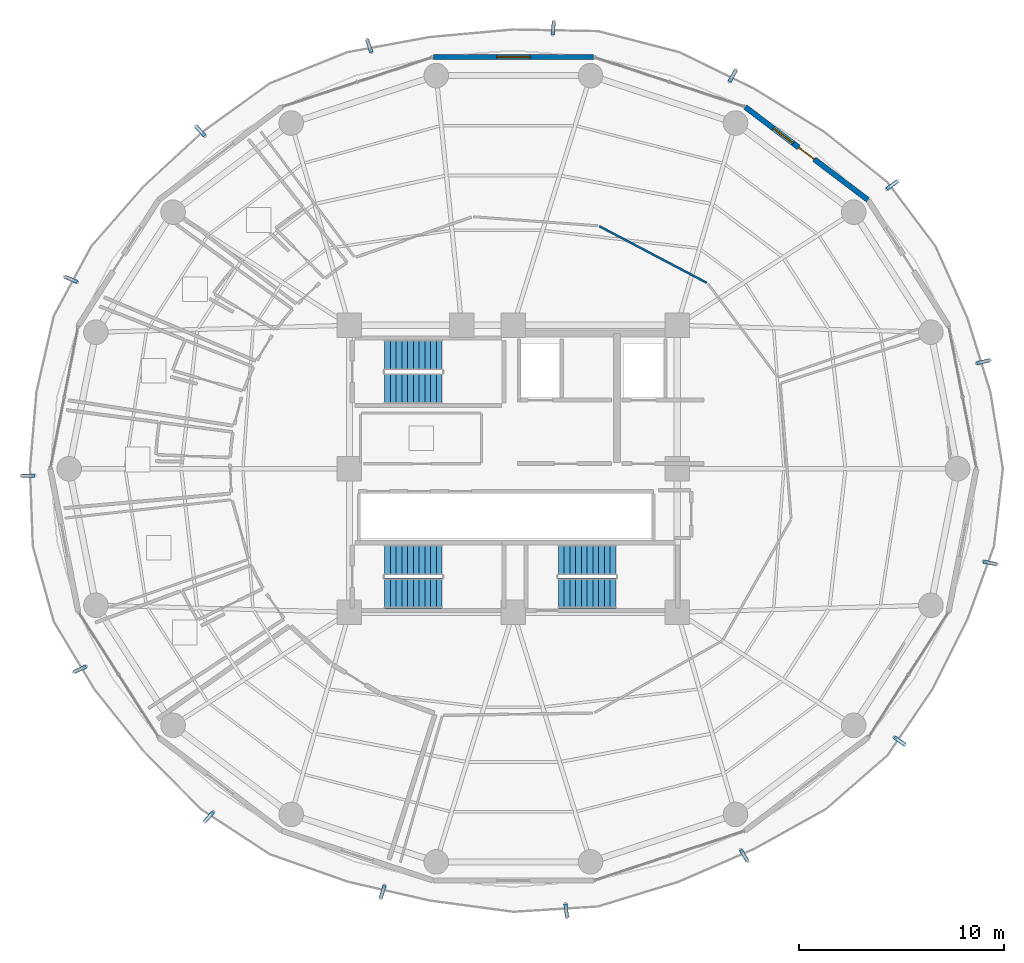
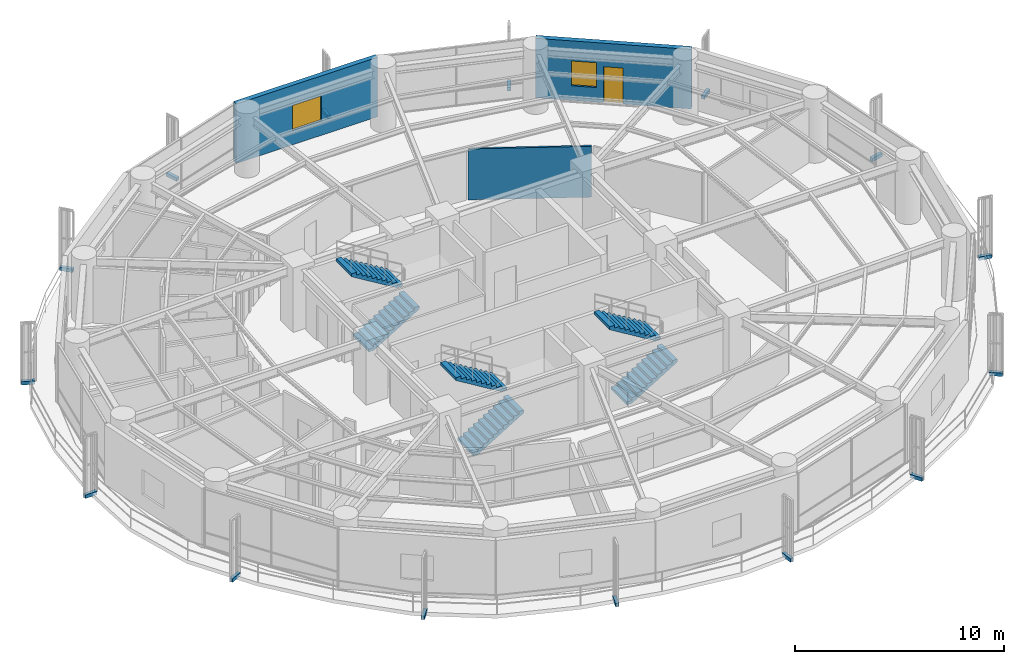
# One storey, part 24 of 27: 15 discrete accessories, 6 stair flights, 3 walls, 2 windows, 1 door, 3 openings, 3 elements without a shape of their own.
"""IFC4 building model written with IfcOpenShell, lengths in metres."""

import ifcopenshell
import ifcopenshell.guid

model = None  # the IFC model being written
_history = None  # IfcOwnerHistory: only IFC2X3 demands one
_inside = {}  # id of a spatial element -> (the spatial element, [elements in it])
_under = {}  # id of a project, library or spatial element -> (it, [spatial elements below it])
_declared = {}  # id of a project -> (the project, [libraries it declares])
_typed = {}  # id of a type object -> (the type object, [elements of that type])
_made_of = {}  # id of a material, layer set ... -> (it, [elements and type objects made of it])


def new_model(schema):
    """Start an empty IFC model of exactly this schema.

    Asked for "IFC4X3", IfcOpenShell would pick the latest addendum, in which some entities
    have other attributes; the version numbers below select the first issue.
    IFC2X3 requires an IfcOwnerHistory on every rooted entity: one is made here for all.
    """
    global model, _history
    if schema == "IFC4X3":
        model = ifcopenshell.file(schema_version=(4, 3, 0, 0))
    else:
        model = ifcopenshell.file(schema=schema)
    _inside.clear()
    _under.clear()
    _declared.clear()
    _typed.clear()
    _made_of.clear()
    _history = None
    if model.schema == "IFC2X3":
        org = make("IfcOrganization", Name="unknown")
        user = make(
            "IfcPersonAndOrganization",
            ThePerson=make("IfcPerson", FamilyName="unknown"),
            TheOrganization=org,
        )
        app = make(
            "IfcApplication",
            ApplicationDeveloper=org,
            Version="unknown",
            ApplicationFullName="unknown",
            ApplicationIdentifier="unknown",
        )
        _history = make(
            "IfcOwnerHistory",
            OwningUser=user,
            OwningApplication=app,
            ChangeAction="ADDED",
            CreationDate=0,
        )
    return model


def make(cls, **values):
    """One entity of the class cls with the attributes given. An attribute that is None is left unset."""
    return model.create_entity(
        cls, **{name: value for name, value in values.items() if value is not None}
    )


def rooted(cls, **values):
    """An entity with a GlobalId (a new one), such as an element, a storey or a relation."""
    return make(cls, GlobalId=ifcopenshell.guid.new(), OwnerHistory=_history, **values)


def si_unit(unit_type, name, prefix=None):
    """IfcSIUnit, for example si_unit("LENGTHUNIT", "METRE", prefix="MILLI")."""
    return make("IfcSIUnit", UnitType=unit_type, Prefix=prefix, Name=name)


def assignment(units):
    """IfcUnitAssignment: the units of a project."""
    return None if units is None else make("IfcUnitAssignment", Units=units)


def point(xyz):
    """IfcCartesianPoint."""
    return None if xyz is None else make("IfcCartesianPoint", Coordinates=xyz)


def direction(xyz):
    """IfcDirection."""
    return None if xyz is None else make("IfcDirection", DirectionRatios=xyz)


def frame(location, z_axis=None, x_axis=None):
    """IfcAxis2Placement3D, a coordinate frame: its origin and axes. An axis left out is left unset."""
    return make(
        "IfcAxis2Placement3D",
        Location=point(location),
        Axis=direction(z_axis),
        RefDirection=direction(x_axis),
    )


def frame_2d(location, x_axis=None):
    """IfcAxis2Placement2D, a coordinate frame in the plane: its origin and x axis."""
    return make(
        "IfcAxis2Placement2D", Location=point(location), RefDirection=direction(x_axis)
    )


def origin():
    """The frame at (0, 0, 0) with its axes left unset."""
    return frame((0.0, 0.0, 0.0))


def origin_2d():
    """The frame at (0, 0) in the plane with its x axis left unset."""
    return frame_2d((0.0, 0.0))


def place(relative_to, where):
    """IfcLocalPlacement: puts the frame where relative to a parent placement (None: the world)."""
    return make(
        "IfcLocalPlacement", PlacementRelTo=relative_to, RelativePlacement=where
    )


def context(
    kind, dimensions, precision=None, world=None, true_north=None, identifier=None
):
    """IfcGeometricRepresentationContext, for example the 3D "Model" context."""
    return make(
        "IfcGeometricRepresentationContext",
        ContextIdentifier=identifier,
        ContextType=kind,
        CoordinateSpaceDimension=dimensions,
        Precision=precision,
        WorldCoordinateSystem=world,
        TrueNorth=true_north,
    )


def subcontext(parent, identifier, kind, view, scale=None):
    """IfcGeometricRepresentationSubContext, for example "Body" below "Model"."""
    return make(
        "IfcGeometricRepresentationSubContext",
        ContextIdentifier=identifier,
        ContextType=kind,
        ParentContext=parent,
        TargetScale=scale,
        TargetView=view,
    )


def project(units=None, contexts=None):
    """IfcProject with its units and contexts."""
    return rooted(
        "IfcProject",
        Name="project",
        RepresentationContexts=contexts,
        UnitsInContext=assignment(units),
    )


def spatial(cls, under=None, at=None, **own):
    """A site, building, storey or space (cls), placed at a placement, below another one or the project."""
    s = rooted(cls, ObjectPlacement=at, **own)
    if under is not None:
        _under.setdefault(under.id(), (under, []))[1].append(s)
    return s


def polyline(points):
    """IfcPolyline through the points."""
    return make("IfcPolyline", Points=[point(p) for p in points])


def profile(cls, at=None, kind="AREA", **sizes):
    """A parametric profile (cls). Its sizes go by their IFC names, for example OverallWidth=200.0."""
    return make(cls, ProfileType=kind, Position=at, **sizes)


def rectangle(**sizes):
    """IfcRectangleProfileDef."""
    return profile("IfcRectangleProfileDef", **sizes)


def outline(outer, holes=None, kind="AREA"):
    """IfcArbitraryClosedProfileDef: a profile drawn as a closed curve; with holes, ...WithVoids."""
    if holes is None:
        return make("IfcArbitraryClosedProfileDef", ProfileType=kind, OuterCurve=outer)
    return make(
        "IfcArbitraryProfileDefWithVoids",
        ProfileType=kind,
        OuterCurve=outer,
        InnerCurves=holes,
    )


def extrude(swept, where, along, depth):
    """IfcExtrudedAreaSolid: the profile swept, set in the frame where, extruded along a direction by depth."""
    return make(
        "IfcExtrudedAreaSolid",
        SweptArea=swept,
        Position=where,
        ExtrudedDirection=direction(along),
        Depth=depth,
    )


def shape(context_of_items, identifier, shape_type, items):
    """IfcShapeRepresentation: the items that make up one representation, for example the "Body"."""
    return make(
        "IfcShapeRepresentation",
        ContextOfItems=context_of_items,
        RepresentationIdentifier=identifier,
        RepresentationType=shape_type,
        Items=items,
    )


def source(mapping_origin, context_of_items, identifier, shape_type, items):
    """IfcRepresentationMap: a shape defined once, which mapped items show again and again."""
    return make(
        "IfcRepresentationMap",
        MappingOrigin=mapping_origin,
        MappedRepresentation=shape(context_of_items, identifier, shape_type, items),
    )


def transform(
    local_origin,
    x_axis=None,
    y_axis=None,
    z_axis=None,
    scale=None,
    scale2=None,
    scale3=None,
    uniform=True,
):
    """IfcCartesianTransformationOperator3D, or its non-uniform kind. x_axis, y_axis, z_axis: its Axis1, 2, 3."""
    if uniform:
        return make(
            "IfcCartesianTransformationOperator3D",
            Axis1=direction(x_axis),
            Axis2=direction(y_axis),
            LocalOrigin=point(local_origin),
            Scale=scale,
            Axis3=direction(z_axis),
        )
    return make(
        "IfcCartesianTransformationOperator3DnonUniform",
        Axis1=direction(x_axis),
        Axis2=direction(y_axis),
        LocalOrigin=point(local_origin),
        Scale=scale,
        Axis3=direction(z_axis),
        Scale2=scale2,
        Scale3=scale3,
    )


def mapped(mapping_source, mapping_target):
    """IfcMappedItem: shows the shape of a source again, moved by a transform."""
    return make(
        "IfcMappedItem", MappingSource=mapping_source, MappingTarget=mapping_target
    )


def material(Name=None, Category=None):
    """IfcMaterial."""
    return make("IfcMaterial", Name=Name, Category=Category)


def layer(
    of_material, thickness, ventilated=None, Name=None, Category=None, Priority=None
):
    """IfcMaterialLayer: one layer of a wall or slab, of a material (None: an air gap)."""
    return make(
        "IfcMaterialLayer",
        Material=of_material,
        LayerThickness=thickness,
        IsVentilated=ventilated,
        Name=Name,
        Category=Category,
        Priority=Priority,
    )


def layer_set(layers, Name=None):
    """IfcMaterialLayerSet."""
    return make("IfcMaterialLayerSet", MaterialLayers=layers, LayerSetName=Name)


def made_of(thing, what):
    """Note that an element or type object is made of a material, layer set ...; save() writes the relation."""
    if what is not None:
        _made_of.setdefault(what.id(), (what, []))[1].append(thing)
    return thing


def type_object(cls, material=None, **own):
    """A type object (cls), such as IfcWallType, which elements share."""
    return made_of(rooted(cls, **own), material)


def element(
    cls,
    number,
    at=None,
    inside=None,
    cuts=None,
    type_object=None,
    material=None,
    context=None,
    identifier="Body",
    shape_type=None,
    held_by="IfcProductDefinitionShape",
    body=None,
    shapes=None,
    **own,
):
    """One element of the class cls, such as IfcWall. Its Tag is "e" and its number.

    at: its placement. inside: the storey or other place that contains it. cuts: it is an
    opening in that element (IfcRelVoidsElement). A single representation is given by context,
    identifier, shape_type and body (its items); several are given by shapes. held_by: the class
    of the entity that holds the representations. save() writes the other relations.
    """
    e = rooted(cls, Tag="e%d" % number, ObjectPlacement=at, **own)
    if body is not None:
        shapes = [shape(context, identifier, shape_type, body)]
    if shapes is not None:
        e.Representation = make(held_by, Representations=shapes)
    if inside is not None:
        _inside.setdefault(inside.id(), (inside, []))[1].append(e)
    if cuts is not None:
        rooted(
            "IfcRelVoidsElement", RelatingBuildingElement=cuts, RelatedOpeningElement=e
        )
    if type_object is not None:
        _typed.setdefault(type_object.id(), (type_object, []))[1].append(e)
    return made_of(e, material)


def fill(opening, filler):
    """IfcRelFillsElement: the door or window that sits in an opening."""
    return rooted(
        "IfcRelFillsElement",
        RelatingOpeningElement=opening,
        RelatedBuildingElement=filler,
    )


def aggregate(whole, parts):
    """IfcRelAggregates: a whole, such as a stair, and the parts it consists of."""
    return rooted("IfcRelAggregates", RelatingObject=whole, RelatedObjects=parts)


def save(model, path):
    """Write the relations noted so far, then the file.

    IfcRelAggregates (storeys below a building ...), IfcRelContainedInSpatialStructure (elements
    in a storey), IfcRelDefinesByType, IfcRelAssociatesMaterial and IfcRelDeclares: one each for
    every whole, place, type object, material and project.
    """
    for whole, parts in _under.values():
        aggregate(whole, parts)
    for where, things in _inside.values():
        rooted(
            "IfcRelContainedInSpatialStructure",
            RelatedElements=things,
            RelatingStructure=where,
        )
    for kind, things in _typed.values():
        rooted("IfcRelDefinesByType", RelatedObjects=things, RelatingType=kind)
    for what, things in _made_of.values():
        rooted("IfcRelAssociatesMaterial", RelatedObjects=things, RelatingMaterial=what)
    for by, libraries in _declared.values():
        rooted("IfcRelDeclares", RelatingContext=by, RelatedDefinitions=libraries)
    model.write(path)


model = new_model("IFC4")

# Units and contexts
model_context = context("Model", 3, precision=1e-05, world=origin(), true_north=direction((0.0, 1.0)))
body_context = subcontext(model_context, "Body", "Model", "MODEL_VIEW")
ifc_project = project(units=[si_unit("LENGTHUNIT", "METRE"), si_unit("AREAUNIT", "SQUARE_METRE"), si_unit("VOLUMEUNIT", "CUBIC_METRE"), si_unit("PLANEANGLEUNIT", "RADIAN"), si_unit("MASSUNIT", "GRAM", prefix="KILO")], contexts=[model_context])

# Site, building, storey
site_placement = place(None, origin())
site = spatial("IfcSite", under=ifc_project, at=site_placement, CompositionType="ELEMENT")
building_placement = place(site_placement, origin())
building = spatial("IfcBuilding", under=site, at=building_placement, Name="Kelanora Arch Commons", CompositionType="ELEMENT")
storey_placement = place(building_placement, frame((0.0, 0.0, 169.35009765625)))
storey = spatial("IfcBuildingStorey", under=building, at=storey_placement, Name="L43", CompositionType="ELEMENT", Elevation=169.35009765625)

# Wall, openings, door, window
ifc_material_1 = material(Name="Precast concrete C40/50 with terracotta rainscreen", Category="masonry")
ifc_layer_1 = layer(ifc_material_1, 0.260009765625)
ifc_layer_set_1 = layer_set([ifc_layer_1], Name="Precast concrete C40/50 with terracotta rainscreen")
wall_type_1 = type_object("IfcWallType", Name="W-EXT-TC", PredefinedType="SOLIDWALL", material=ifc_layer_set_1)
wall_1_placement = place(storey_placement, frame((91.300537109375, 71.1220703125, 0.0), z_axis=(0.0, 0.0, 1.0), x_axis=(-0.797163719609, 0.603763202042, 0.0)))
wall_1 = element("IfcWall", 1, at=wall_1_placement, inside=storey, type_object=wall_type_1, Name="Terracotta Exterior Wall L43-B02", PredefinedType="SOLIDWALL", context=body_context, shape_type="SweptSolid", body=[
    extrude(rectangle(XDim=7.51220703125, YDim=0.260009765625, at=frame_2d((3.756103515625, 0.0))), origin(), (0.0, 0.0, 1.0), 3.474853515625),
])
opening_1_placement = place(wall_1_placement, frame((3.281005859375, 0.0, 0.0)))
opening_1 = element("IfcOpeningElement", 2, at=opening_1_placement, cuts=wall_1, Name="Opening DB-01", PredefinedType="OPENING", context=body_context, shape_type="SweptSolid", body=[
    extrude(rectangle(XDim=0.949951171875, YDim=2.10009765625, at=frame_2d((0.47509765625, 1.050048828125))), frame((0.0, 0.14013671875, 0.0), z_axis=(0.0, -1.0, 0.0), x_axis=(1.0, 0.0, 0.0)), (0.0, 0.0, 1.0), 0.280029296875),
])
opening_2_placement = place(wall_1_placement, frame((4.5810546875, 0.0, 0.85009765625)))
opening_2 = element("IfcOpeningElement", 3, at=opening_2_placement, cuts=wall_1, Name="Opening WN-02", PredefinedType="OPENING", context=body_context, shape_type="SweptSolid", body=[
    extrude(rectangle(XDim=1.199951171875, YDim=1.449951171875, at=frame_2d((0.60009765625, 0.72509765625))), frame((0.0, 0.14013671875, 0.0), z_axis=(0.0, -1.0, 0.0), x_axis=(1.0, 0.0, 0.0)), (0.0, 0.0, 1.0), 0.280029296875),
])
ifc_material_2 = material(Name="Terracotta-aluminium thermally broken glazed balcony door", Category="masonry")
door_type = type_object("IfcDoorType", Name="D-BAL-10", OperationType="NOTDEFINED", PredefinedType="DOOR", material=ifc_material_2)
door_placement = place(opening_1_placement, frame((0.949951171875, 0.0, 0.0), z_axis=(0.0, 0.0, 1.0), x_axis=(-1.0, 0.0, 0.0)))
door = element("IfcDoor", 4, at=door_placement, inside=storey, type_object=door_type, Name="Wave Balcony Door L43-B02", OperationType="SINGLE_SWING_RIGHT", OverallHeight=2.10009765625, OverallWidth=0.949951171875, PredefinedType="DOOR", context=body_context, shape_type="SweptSolid", body=[
    extrude(rectangle(XDim=0.949951171875, YDim=2.10009765625, at=frame_2d((0.47509765625, 1.050048828125))), frame((0.0, 0.02490234375, 0.0), z_axis=(0.0, -1.0, 0.0), x_axis=(1.0, 0.0, 0.0)), (0.0, 0.0, 1.0), 0.050048828125),
])
fill(opening_1, door)
ifc_material_3 = material(Name="Terracotta-anodised aluminium frame with operable awning sash", Category="masonry")
window_type_1 = type_object("IfcWindowType", Name="WIN-CL-12", PartitioningType="SINGLE_PANEL", PredefinedType="WINDOW", material=ifc_material_3)
window_1_placement = place(opening_2_placement, origin())
window_1 = element("IfcWindow", 5, at=window_1_placement, inside=storey, type_object=window_type_1, Name="Co-Living Operable Window L43-B02", OverallHeight=1.449951171875, OverallWidth=1.199951171875, PartitioningType="SINGLE_PANEL", PredefinedType="WINDOW", context=body_context, shape_type="SweptSolid", body=[
    extrude(rectangle(XDim=1.199951171875, YDim=1.449951171875, at=frame_2d((0.60009765625, 0.72509765625))), frame((0.0, 0.030029296875, 0.0), z_axis=(0.0, -1.0, 0.0), x_axis=(1.0, 0.0, 0.0)), (0.0, 0.0, 1.0), 0.06005859375),
])
fill(opening_2, window_1)

# Wall, opening, window
wall_2_placement = place(storey_placement, frame((77.909423828125, 78.090087890625, 0.0), z_axis=(0.0, 0.0, 1.0), x_axis=(-1.0, 0.0, 0.0)))
wall_2 = element("IfcWall", 6, at=wall_2_placement, inside=storey, type_object=wall_type_1, Name="Terracotta Exterior Wall L43-B04", PredefinedType="SOLIDWALL", context=body_context, shape_type="SweptSolid", body=[
    extrude(rectangle(XDim=7.81884765625, YDim=0.260009765625, at=frame_2d((3.909423828125, 0.0))), origin(), (0.0, 0.0, 1.0), 3.474853515625),
])
opening_3_placement = place(wall_2_placement, frame((3.10888671875, 0.0, 0.85009765625)))
opening_3 = element("IfcOpeningElement", 7, at=opening_3_placement, cuts=wall_2, Name="Opening WN-01", PredefinedType="OPENING", context=body_context, shape_type="SweptSolid", body=[
    extrude(rectangle(XDim=1.60009765625, YDim=1.449951171875, at=frame_2d((0.800048828125, 0.72509765625))), frame((0.0, 0.14013671875, 0.0), z_axis=(0.0, -1.0, 0.0), x_axis=(1.0, 0.0, 0.0)), (0.0, 0.0, 1.0), 0.280029296875),
])
ifc_material_4 = material(Name="Terracotta-anodised aluminium frame with operable low-E glazing", Category="masonry")
window_type_2 = type_object("IfcWindowType", Name="WIN-CL-18", PartitioningType="DOUBLE_PANEL_VERTICAL", PredefinedType="WINDOW", material=ifc_material_4)
window_2_placement = place(opening_3_placement, origin())
window_2 = element("IfcWindow", 8, at=window_2_placement, inside=storey, type_object=window_type_2, Name="Co-Living Operable Window L43-B04", OverallHeight=1.449951171875, OverallWidth=1.60009765625, PartitioningType="SINGLE_PANEL", PredefinedType="WINDOW", context=body_context, shape_type="SweptSolid", body=[
    extrude(rectangle(XDim=1.60009765625, YDim=1.449951171875, at=frame_2d((0.800048828125, 0.72509765625))), frame((0.0, 0.030029296875, 0.0), z_axis=(0.0, -1.0, 0.0), x_axis=(1.0, 0.0, 0.0)), (0.0, 0.0, 1.0), 0.06005859375),
])
fill(opening_3, window_2)

# Wall
ifc_material_5 = material(Name="Lightweight fire-rated acoustic stud partition")
ifc_layer_2 = layer(ifc_material_5, 0.10009765625)
ifc_layer_set_2 = layer_set([ifc_layer_2], Name="Lightweight fire-rated acoustic stud partition")
wall_type_2 = type_object("IfcWallType", Name="W-PART-100", PredefinedType="PARTITIONING", material=ifc_layer_set_2)
wall_3_placement = place(storey_placement, frame((83.440673828125, 67.072509765625, 0.0), z_axis=(0.0, 0.0, 1.0), x_axis=(-0.884731495881, 0.466101040759, 0.0)))
element("IfcWall", 9, at=wall_3_placement, inside=storey, type_object=wall_type_2, Name="North-East Shared Cluster Kitchen L43 Enclosure Partition 2", PredefinedType="PARTITIONING", context=body_context, shape_type="SweptSolid", body=[
    extrude(rectangle(XDim=5.929931640625, YDim=0.10009765625, at=frame_2d((2.96484375, 0.0))), origin(), (0.0, 0.0, 1.0), 2.974853515625),
])

# Stair, stair flights
ifc_material_6 = material(Name="Concrete C40/50", Category="concrete")
stair_type = type_object("IfcStairType", Name="STR-DL-375", PredefinedType="HALF_TURN_STAIR", material=ifc_material_6)
stair_1_placement = place(storey_placement, origin())
stair_1 = element("IfcStair", 10, at=stair_1_placement, inside=storey, type_object=stair_type, Name="L43 ST-T1", PredefinedType="HALF_TURN_STAIR")
stair_flight_type = type_object("IfcStairFlightType", Name="FLT-DL-375", PredefinedType="STRAIGHT", material=ifc_material_6)
stair_flight_1_placement = place(storey_placement, frame((67.719970703125, 61.919921875, 0.0), z_axis=(0.0, 0.0, 1.0), x_axis=(1.0, 0.0, 0.0)))
stair_flight_1 = element("IfcStairFlight", 11, at=stair_flight_1_placement, type_object=stair_flight_type, Name="ST-T1 flight 1", NumberOfRisers=11, NumberOfTreads=10, PredefinedType="STRAIGHT", RiserHeight=0.170454545, TreadLength=0.28, context=body_context, shape_type="SweptSolid", body=[
    extrude(outline(polyline([(0.0, 0.0), (0.0, 0.17041015625), (0.280029296875, 0.17041015625), (0.280029296875, 0.3408203125), (0.56005859375, 0.3408203125), (0.56005859375, 0.511474609375), (0.840087890625, 0.511474609375), (0.840087890625, 0.681884765625), (1.1201171875, 0.681884765625), (1.1201171875, 0.852294921875), (1.39990234375, 0.852294921875), (1.39990234375, 1.022705078125), (1.679931640625, 1.022705078125), (1.679931640625, 1.193115234375), (1.9599609375, 1.193115234375), (1.9599609375, 1.363525390625), (2.239990234375, 1.363525390625), (2.239990234375, 1.5341796875), (2.52001953125, 1.5341796875), (2.52001953125, 1.70458984375), (2.800048828125, 1.70458984375), (2.800048828125, 1.875), (2.800048828125, 1.529052734375), (0.288330078125, 0.0), (0.0, 0.0)])), frame((0.0, 0.739990234375, 0.0), z_axis=(0.0, -1.0, 0.0), x_axis=(1.0, 0.0, 0.0)), (0.0, 0.0, 1.0), 1.47998046875),
])
stair_flight_2_placement = place(storey_placement, frame((70.52001953125, 63.550048828125, 1.875), z_axis=(0.0, 0.0, 1.0), x_axis=(-1.0, 0.0, 0.0)))
stair_flight_2 = element("IfcStairFlight", 12, at=stair_flight_2_placement, type_object=stair_flight_type, Name="ST-T1 flight 2", NumberOfRisers=11, NumberOfTreads=10, PredefinedType="STRAIGHT", RiserHeight=0.170454545, TreadLength=0.28, context=body_context, shape_type="SweptSolid", body=[
    extrude(outline(polyline([(0.0, 0.0), (0.0, 0.17041015625), (0.280029296875, 0.17041015625), (0.280029296875, 0.3408203125), (0.56005859375, 0.3408203125), (0.56005859375, 0.511474609375), (0.840087890625, 0.511474609375), (0.840087890625, 0.681884765625), (1.1201171875, 0.681884765625), (1.1201171875, 0.852294921875), (1.39990234375, 0.852294921875), (1.39990234375, 1.022705078125), (1.679931640625, 1.022705078125), (1.679931640625, 1.193115234375), (1.9599609375, 1.193115234375), (1.9599609375, 1.363525390625), (2.239990234375, 1.363525390625), (2.239990234375, 1.5341796875), (2.52001953125, 1.5341796875), (2.52001953125, 1.70458984375), (2.800048828125, 1.70458984375), (2.800048828125, 1.875), (2.800048828125, 1.529052734375), (0.288330078125, 0.0), (0.0, 0.0)])), frame((0.0, 0.739990234375, 0.0), z_axis=(0.0, -1.0, 0.0), x_axis=(1.0, 0.0, 0.0)), (0.0, 0.0, 1.0), 1.47998046875),
])
aggregate(stair_1, [stair_flight_1, stair_flight_2])

stair_2_placement = place(storey_placement, origin())
stair_2 = element("IfcStair", 13, at=stair_2_placement, inside=storey, type_object=stair_type, Name="L43 ST-T2", PredefinedType="HALF_TURN_STAIR")
stair_flight_3_placement = place(storey_placement, frame((76.199951171875, 51.919921875, 0.0), z_axis=(0.0, 0.0, 1.0), x_axis=(1.0, 0.0, 0.0)))
stair_flight_3 = element("IfcStairFlight", 14, at=stair_flight_3_placement, type_object=stair_flight_type, Name="ST-T2 flight 1", NumberOfRisers=11, NumberOfTreads=10, PredefinedType="STRAIGHT", RiserHeight=0.170454545, TreadLength=0.28, context=body_context, shape_type="SweptSolid", body=[
    extrude(outline(polyline([(0.0, 0.0), (0.0, 0.17041015625), (0.280029296875, 0.17041015625), (0.280029296875, 0.3408203125), (0.56005859375, 0.3408203125), (0.56005859375, 0.511474609375), (0.840087890625, 0.511474609375), (0.840087890625, 0.681884765625), (1.1201171875, 0.681884765625), (1.1201171875, 0.852294921875), (1.39990234375, 0.852294921875), (1.39990234375, 1.022705078125), (1.679931640625, 1.022705078125), (1.679931640625, 1.193115234375), (1.9599609375, 1.193115234375), (1.9599609375, 1.363525390625), (2.239990234375, 1.363525390625), (2.239990234375, 1.5341796875), (2.52001953125, 1.5341796875), (2.52001953125, 1.70458984375), (2.800048828125, 1.70458984375), (2.800048828125, 1.875), (2.800048828125, 1.529052734375), (0.288330078125, 0.0), (0.0, 0.0)])), frame((0.0, 0.739990234375, 0.0), z_axis=(0.0, -1.0, 0.0), x_axis=(1.0, 0.0, 0.0)), (0.0, 0.0, 1.0), 1.47998046875),
])
stair_flight_4_placement = place(storey_placement, frame((79.0, 53.550048828125, 1.875), z_axis=(0.0, 0.0, 1.0), x_axis=(-1.0, 0.0, 0.0)))
stair_flight_4 = element("IfcStairFlight", 15, at=stair_flight_4_placement, type_object=stair_flight_type, Name="ST-T2 flight 2", NumberOfRisers=11, NumberOfTreads=10, PredefinedType="STRAIGHT", RiserHeight=0.170454545, TreadLength=0.28, context=body_context, shape_type="SweptSolid", body=[
    extrude(outline(polyline([(0.0, 0.0), (0.0, 0.17041015625), (0.280029296875, 0.17041015625), (0.280029296875, 0.3408203125), (0.56005859375, 0.3408203125), (0.56005859375, 0.511474609375), (0.840087890625, 0.511474609375), (0.840087890625, 0.681884765625), (1.1201171875, 0.681884765625), (1.1201171875, 0.852294921875), (1.39990234375, 0.852294921875), (1.39990234375, 1.022705078125), (1.679931640625, 1.022705078125), (1.679931640625, 1.193115234375), (1.9599609375, 1.193115234375), (1.9599609375, 1.363525390625), (2.239990234375, 1.363525390625), (2.239990234375, 1.5341796875), (2.52001953125, 1.5341796875), (2.52001953125, 1.70458984375), (2.800048828125, 1.70458984375), (2.800048828125, 1.875), (2.800048828125, 1.529052734375), (0.288330078125, 0.0), (0.0, 0.0)])), frame((0.0, 0.739990234375, 0.0), z_axis=(0.0, -1.0, 0.0), x_axis=(1.0, 0.0, 0.0)), (0.0, 0.0, 1.0), 1.47998046875),
])
aggregate(stair_2, [stair_flight_3, stair_flight_4])

stair_3_placement = place(storey_placement, origin())
stair_3 = element("IfcStair", 16, at=stair_3_placement, inside=storey, type_object=stair_type, Name="L43 ST-T3", PredefinedType="HALF_TURN_STAIR")
stair_flight_5_placement = place(storey_placement, frame((67.719970703125, 51.919921875, 0.0), z_axis=(0.0, 0.0, 1.0), x_axis=(1.0, 0.0, 0.0)))
stair_flight_5 = element("IfcStairFlight", 17, at=stair_flight_5_placement, type_object=stair_flight_type, Name="ST-T3 flight 1", NumberOfRisers=11, NumberOfTreads=10, PredefinedType="STRAIGHT", RiserHeight=0.170454545, TreadLength=0.28, context=body_context, shape_type="SweptSolid", body=[
    extrude(outline(polyline([(0.0, 0.0), (0.0, 0.17041015625), (0.280029296875, 0.17041015625), (0.280029296875, 0.3408203125), (0.56005859375, 0.3408203125), (0.56005859375, 0.511474609375), (0.840087890625, 0.511474609375), (0.840087890625, 0.681884765625), (1.1201171875, 0.681884765625), (1.1201171875, 0.852294921875), (1.39990234375, 0.852294921875), (1.39990234375, 1.022705078125), (1.679931640625, 1.022705078125), (1.679931640625, 1.193115234375), (1.9599609375, 1.193115234375), (1.9599609375, 1.363525390625), (2.239990234375, 1.363525390625), (2.239990234375, 1.5341796875), (2.52001953125, 1.5341796875), (2.52001953125, 1.70458984375), (2.800048828125, 1.70458984375), (2.800048828125, 1.875), (2.800048828125, 1.529052734375), (0.288330078125, 0.0), (0.0, 0.0)])), frame((0.0, 0.739990234375, 0.0), z_axis=(0.0, -1.0, 0.0), x_axis=(1.0, 0.0, 0.0)), (0.0, 0.0, 1.0), 1.47998046875),
])
stair_flight_6_placement = place(storey_placement, frame((70.52001953125, 53.550048828125, 1.875), z_axis=(0.0, 0.0, 1.0), x_axis=(-1.0, 0.0, 0.0)))
stair_flight_6 = element("IfcStairFlight", 18, at=stair_flight_6_placement, type_object=stair_flight_type, Name="ST-T3 flight 2", NumberOfRisers=11, NumberOfTreads=10, PredefinedType="STRAIGHT", RiserHeight=0.170454545, TreadLength=0.28, context=body_context, shape_type="SweptSolid", body=[
    extrude(outline(polyline([(0.0, 0.0), (0.0, 0.17041015625), (0.280029296875, 0.17041015625), (0.280029296875, 0.3408203125), (0.56005859375, 0.3408203125), (0.56005859375, 0.511474609375), (0.840087890625, 0.511474609375), (0.840087890625, 0.681884765625), (1.1201171875, 0.681884765625), (1.1201171875, 0.852294921875), (1.39990234375, 0.852294921875), (1.39990234375, 1.022705078125), (1.679931640625, 1.022705078125), (1.679931640625, 1.193115234375), (1.9599609375, 1.193115234375), (1.9599609375, 1.363525390625), (2.239990234375, 1.363525390625), (2.239990234375, 1.5341796875), (2.52001953125, 1.5341796875), (2.52001953125, 1.70458984375), (2.800048828125, 1.70458984375), (2.800048828125, 1.875), (2.800048828125, 1.529052734375), (0.288330078125, 0.0), (0.0, 0.0)])), frame((0.0, 0.739990234375, 0.0), z_axis=(0.0, -1.0, 0.0), x_axis=(1.0, 0.0, 0.0)), (0.0, 0.0, 1.0), 1.47998046875),
])
aggregate(stair_3, [stair_flight_5, stair_flight_6])

# Discrete accessories
ifc_material_7 = material(Name="Stainless steel 316 marine fin bracket", Category="steel")
discrete_accessory_type = type_object("IfcDiscreteAccessoryType", Name="ACC-FIN-BRK", PredefinedType="BRACKET", material=ifc_material_7)
shared_shape = source(origin(), body_context, "Body", "SweptSolid", [
    extrude(rectangle(XDim=0.655517578125, YDim=0.179931640625, at=origin_2d()), origin(), (0.0, 0.0, 1.0), 0.199951171875),
])
for number, where, z_axis, x_axis, name in (
    (19, (97.266845703125, 53.404052734375, -0.16015625), (0.0, 0.0, 1.0), (0.981056721746, -0.1937206977, 0.0), "Sweeping Fin Cantilever Spine Bracket L43-00"),
    (20, (96.927978515625, 63.22021484375, -0.16015625), (0.0, 0.0, 1.0), (0.975033218117, 0.222059054235, 0.0), "Sweeping Fin Cantilever Spine Bracket L43-01"),
    (21, (92.4912109375, 71.84619140625, -0.16015625), (0.0, 0.0, 1.0), (0.800417613178, 0.599442778349, 0.0), "Sweeping Fin Cantilever Spine Bracket L43-02"),
    (22, (84.70654296875, 77.177490234375, -0.16015625), (0.0, 0.0, 1.0), (0.487402531354, 0.87317740032, 0.0), "Sweeping Fin Cantilever Spine Bracket L43-03"),
    (23, (75.947509765625, 79.506591796875, -0.16015625), (0.0, 0.0, 1.0), (0.090111123946, 0.995931717208, 0.0), "Sweeping Fin Cantilever Spine Bracket L43-04"),
    (24, (66.965576171875, 78.632568359375, -0.16015625), (0.0, 0.0, 1.0), (-0.322761315426, 0.946480392435, 0.0), "Sweeping Fin Cantilever Spine Bracket L43-05"),
    (25, (58.721435546875, 74.484375, -0.16015625), (0.0, 0.0, 1.0), (-0.679825391166, 0.733374009306, 0.0), "Sweeping Fin Cantilever Spine Bracket L43-06"),
    (26, (52.41162109375, 67.2412109375, -0.16015625), (0.0, 0.0, 1.0), (-0.919341480754, 0.393460597474, 0.0), "Sweeping Fin Cantilever Spine Bracket L43-07"),
    (27, (50.31494140625, 57.658447265625, -0.16015625), (0.0, 0.0, 1.0), (-0.999895076365, -0.014485726139, 0.0), "Sweeping Fin Cantilever Spine Bracket L43-08"),
    (28, (52.845703125, 48.213623046875, -0.16015625), (0.0, 0.0, 1.0), (-0.90755772951, -0.419927336103, 0.0), "Sweeping Fin Cantilever Spine Bracket L43-09"),
    (29, (59.140625, 41.0107421875, -0.16015625), (0.0, 0.0, 1.0), (-0.65829540632, -0.752759694735, 0.0), "Sweeping Fin Cantilever Spine Bracket L43-10"),
    (30, (67.618408203125, 37.350830078125, -0.16015625), (0.0, 0.0, 1.0), (-0.295207826951, -0.955433063541, 0.0), "Sweeping Fin Cantilever Spine Bracket L43-11"),
    (31, (76.5810546875, 36.43798828125, -0.16015625), (0.0, 0.0, 1.0), (0.118923867576, -0.992903375823, 0.0), "Sweeping Fin Cantilever Spine Bracket L43-12"),
    (32, (85.26416015625, 39.123779296875, -0.16015625), (0.0, 0.0, 1.0), (0.512492545011, -0.858691674181, 0.0), "Sweeping Fin Cantilever Spine Bracket L43-13"),
    (33, (92.85595703125, 44.71142578125, -0.16015625), (0.0, 0.0, 1.0), (0.817446605564, -0.576004381105, 0.0), "Sweeping Fin Cantilever Spine Bracket L43-14"),
):
    element("IfcDiscreteAccessory", number, at=place(storey_placement, frame(where, z_axis=z_axis, x_axis=x_axis)), inside=storey, type_object=discrete_accessory_type, Name=name, PredefinedType="BRACKET", context=body_context, shape_type="MappedRepresentation", body=[
        mapped(shared_shape, transform((0.0, 0.0, 0.0), scale=1.0)),
    ])

save(model, "model.ifc")
